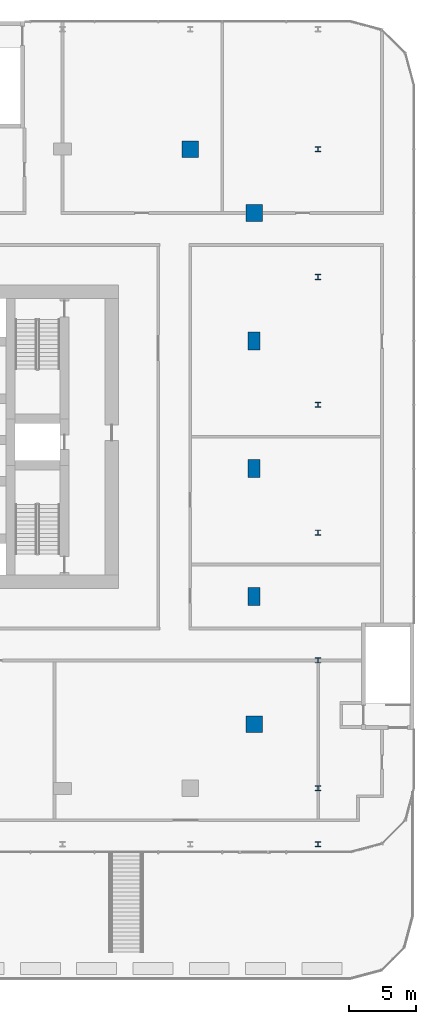
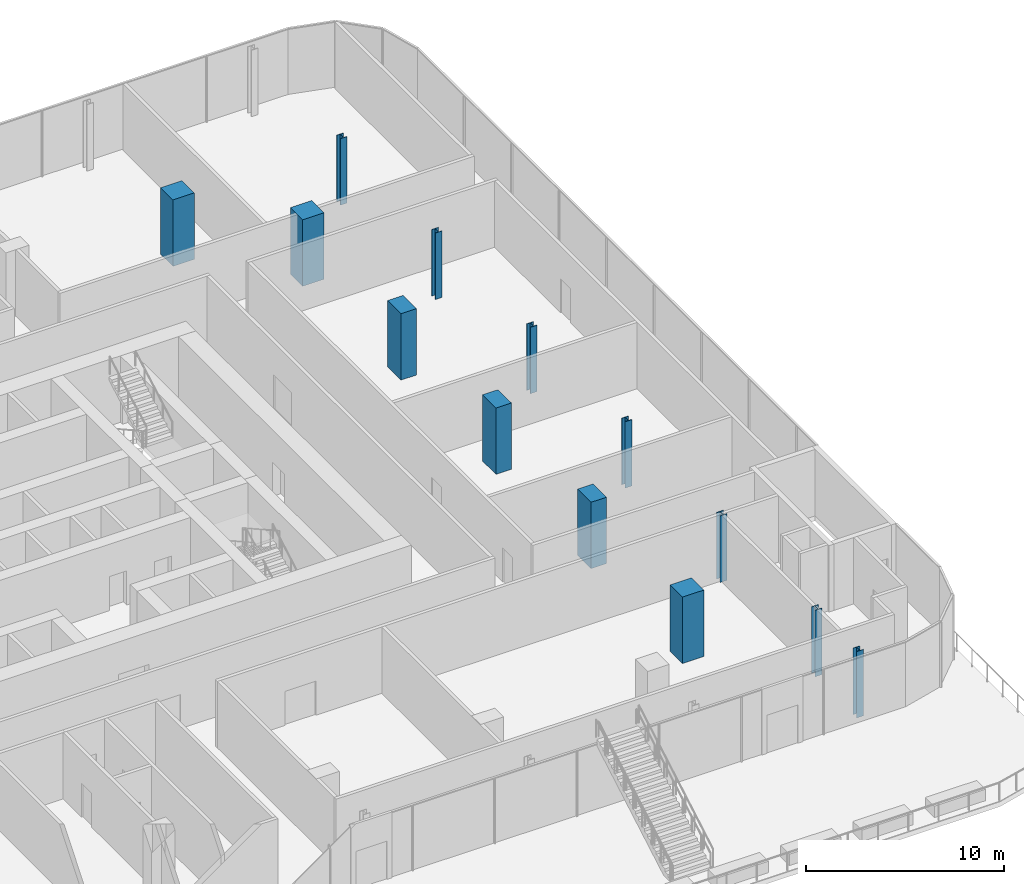
# One storey, part 3 of 32: 13 columns.
"""IFC4 building model written with IfcOpenShell, lengths in metres."""

from ifc_helpers import new_model, si_unit, direction, frame, origin, origin_2d, place, context, subcontext, project, spatial, rectangle, i_section, extrude, material, material_profile, profile_set, type_object, element, save


model = new_model("IFC4")

# Units and contexts
model_context = context("Model", 3, precision=1e-05, world=origin(), true_north=direction((0.0, 1.0)))
body_context = subcontext(model_context, "Body", "Model", "MODEL_VIEW")
ifc_project = project(units=[si_unit("LENGTHUNIT", "METRE"), si_unit("AREAUNIT", "SQUARE_METRE"), si_unit("VOLUMEUNIT", "CUBIC_METRE"), si_unit("PLANEANGLEUNIT", "RADIAN"), si_unit("MASSUNIT", "GRAM", prefix="KILO")], contexts=[model_context])

# Site, building, storey
site_placement = place(None, origin())
site = spatial("IfcSite", under=ifc_project, at=site_placement, CompositionType="ELEMENT")
building_placement = place(site_placement, origin())
building = spatial("IfcBuilding", under=site, at=building_placement, Name="Madar Terraces", CompositionType="ELEMENT")
storey_placement = place(building_placement, frame((0.0, 0.0, 19.5)))
storey = spatial("IfcBuildingStorey", under=building, at=storey_placement, Name="L04", CompositionType="ELEMENT", Elevation=19.5)

# Columns
ifc_material_1 = material(Name="Concrete C80/95", Category="concrete")
ifc_material_profile_1 = material_profile(ifc_material_1, rectangle(XDim=1.35009765625, YDim=0.89990234375, at=origin_2d()), Name="CC1 RC 1350x900")
ifc_profile_set_1 = profile_set([ifc_material_profile_1], Name="Concrete C80/95")
column_type_1 = type_object("IfcColumnType", Name="CC1 RC 1350x900", PredefinedType="COLUMN", material=ifc_profile_set_1)
for number, where, z_axis, x_axis, name in (
    (1, (57.60009765625, 14.39990234375, 0.0), (0.0, 0.0, 1.0), (0.0, 1.0, 0.0), "Perimeter column E2"),
    (2, (57.60009765625, 24.0, 0.0), (0.0, 0.0, 1.0), (0.0, 1.0, 0.0), "Perimeter column E3"),
    (3, (57.60009765625, 33.60009765625, 0.0), (0.0, 0.0, 1.0), (0.0, 1.0, 0.0), "Perimeter column E4"),
):
    element("IfcColumn", number, at=place(storey_placement, frame(where, z_axis=z_axis, x_axis=x_axis)), inside=storey, type_object=column_type_1, Name=name, PredefinedType="COLUMN", context=body_context, shape_type="SweptSolid", body=[
        extrude(rectangle(XDim=1.35009765625, YDim=0.89990234375, at=origin_2d()), origin(), (0.0, 0.0, 1.0), 4.10009765625),
    ])
ifc_material_2 = material(Name="Concrete C80/95", Category="concrete")
ifc_material_profile_2 = material_profile(ifc_material_2, rectangle(XDim=1.25, YDim=1.25, at=origin_2d()), Name="KC1 RC 1250x1250")
ifc_profile_set_2 = profile_set([ifc_material_profile_2], Name="Concrete C80/95")
column_type_2 = type_object("IfcColumnType", Name="KC1 RC 1250x1250", PredefinedType="COLUMN", material=ifc_profile_set_2)
for number, where, z_axis, x_axis, name in (
    (4, (57.60009765625, 4.800048828125, 0.0), (0.0, 0.0, 1.0), (1.0, 0.0, 0.0), "Perimeter column E1"),
    (5, (57.60009765625, 43.199951171875, 0.0), (0.0, 0.0, 1.0), (1.0, 0.0, 0.0), "Perimeter column E5"),
    (6, (52.800048828125, 48.0, 0.0), (0.0, 0.0, 1.0), (1.0, 0.0, 0.0), "Perimeter column N1"),
):
    element("IfcColumn", number, at=place(storey_placement, frame(where, z_axis=z_axis, x_axis=x_axis)), inside=storey, type_object=column_type_2, Name=name, PredefinedType="COLUMN", context=body_context, shape_type="SweptSolid", body=[
        extrude(rectangle(XDim=1.25, YDim=1.25, at=origin_2d()), origin(), (0.0, 0.0, 1.0), 4.10009765625),
    ])
ifc_material_3 = material(Name="Steel ASTM A992 Grade 50", Category="steel")
ifc_material_profile_3 = material_profile(ifc_material_3, i_section(OverallWidth=0.396240234375, OverallDepth=0.381103515625, WebThickness=0.01904296875, FlangeThickness=0.0302734375, at=origin_2d()), Name="W14x159")
ifc_profile_set_3 = profile_set([ifc_material_profile_3], Name="Steel ASTM A992 Grade 50")
column_type_3 = type_object("IfcColumnType", Name="PC2 W14x159", PredefinedType="COLUMN", material=ifc_profile_set_3)
for number, where, z_axis, x_axis, name in (
    (7, (62.39990234375, -4.199951171875, 0.0), (0.0, 0.0, 1.0), (1.0, 0.0, 0.0), "Podium column PC2"),
    (8, (62.39990234375, 0.0, 0.0), (0.0, 0.0, 1.0), (1.0, 0.0, 0.0), "Podium column PC2"),
    (9, (62.39990234375, 9.60009765625, 0.0), (0.0, 0.0, 1.0), (1.0, 0.0, 0.0), "Podium column PC2"),
    (10, (62.39990234375, 19.199951171875, 0.0), (0.0, 0.0, 1.0), (1.0, 0.0, 0.0), "Podium column PC2"),
    (11, (62.39990234375, 28.800048828125, 0.0), (0.0, 0.0, 1.0), (1.0, 0.0, 0.0), "Podium column PC2"),
    (12, (62.39990234375, 38.39990234375, 0.0), (0.0, 0.0, 1.0), (1.0, 0.0, 0.0), "Podium column PC2"),
    (13, (62.39990234375, 48.0, 0.0), (0.0, 0.0, 1.0), (1.0, 0.0, 0.0), "Podium column PC2"),
):
    element("IfcColumn", number, at=place(storey_placement, frame(where, z_axis=z_axis, x_axis=x_axis)), inside=storey, type_object=column_type_3, Name=name, PredefinedType="COLUMN", context=body_context, shape_type="SweptSolid", body=[
        extrude(i_section(OverallWidth=0.396240234375, OverallDepth=0.381103515625, WebThickness=0.01904296875, FlangeThickness=0.0302734375, at=origin_2d()), origin(), (0.0, 0.0, 1.0), 4.10009765625),
    ])

save(model, "model.ifc")
